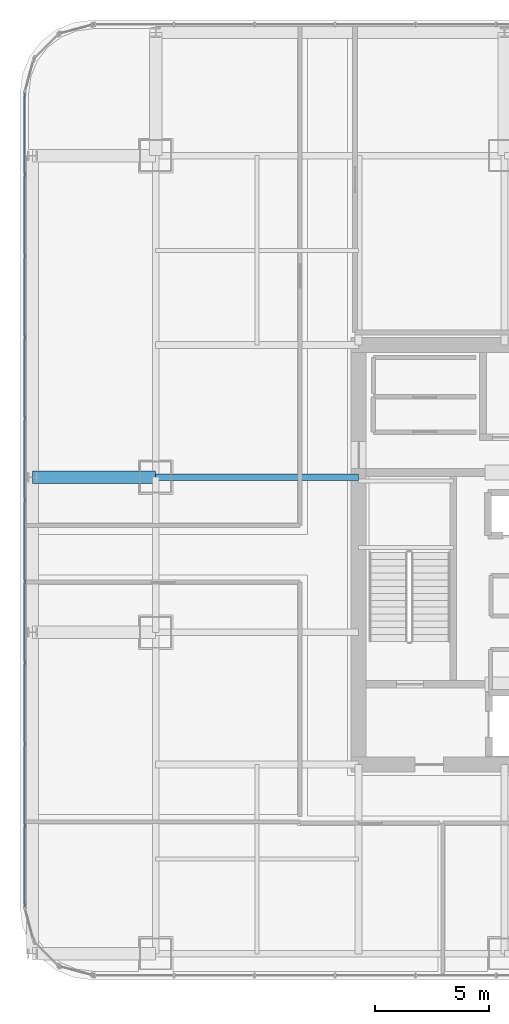
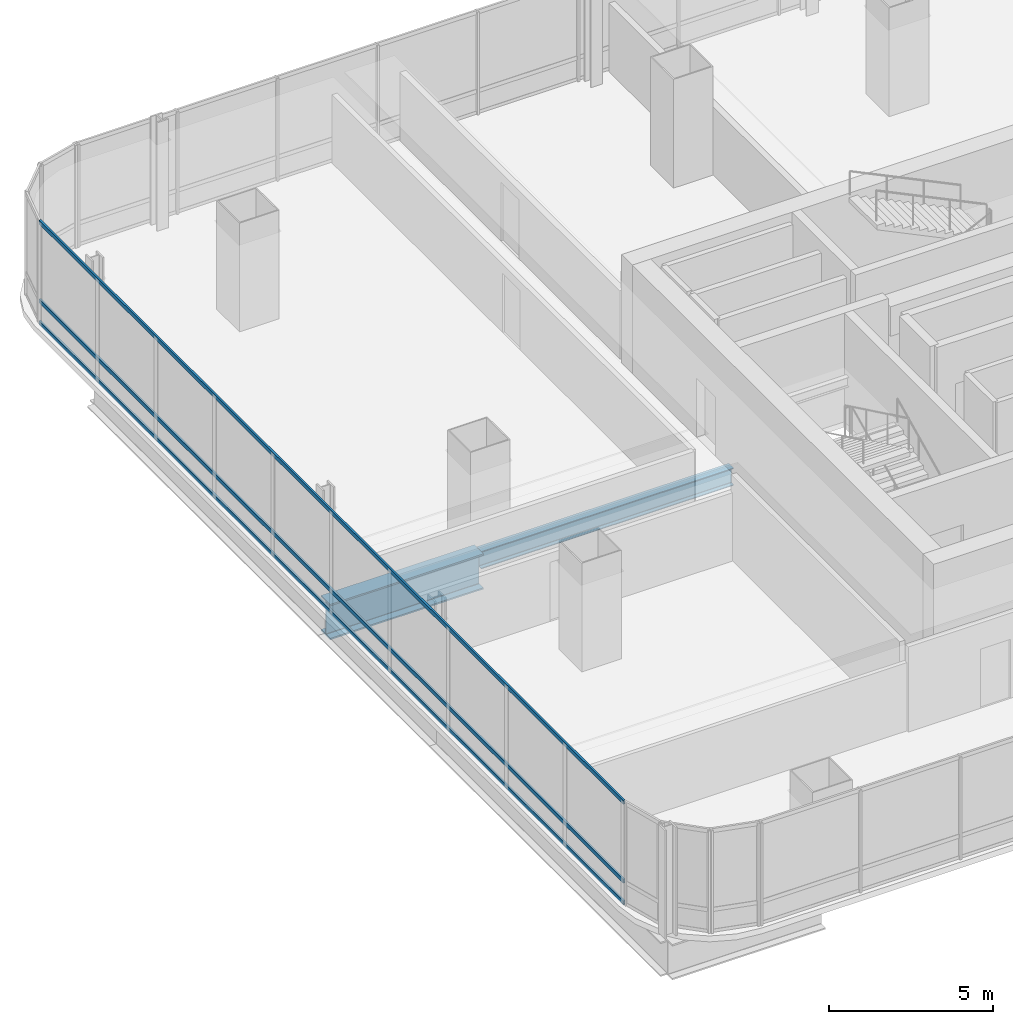
# One storey, part 11 of 37: 3 members, 2 beams, 1 element without a shape of its own.
"""IFC4 building model written with IfcOpenShell, lengths in metres."""

import ifcopenshell
import ifcopenshell.guid

model = None  # the IFC model being written
_history = None  # IfcOwnerHistory: only IFC2X3 demands one
_inside = {}  # id of a spatial element -> (the spatial element, [elements in it])
_under = {}  # id of a project, library or spatial element -> (it, [spatial elements below it])
_declared = {}  # id of a project -> (the project, [libraries it declares])
_typed = {}  # id of a type object -> (the type object, [elements of that type])
_made_of = {}  # id of a material, layer set ... -> (it, [elements and type objects made of it])


def new_model(schema):
    """Start an empty IFC model of exactly this schema.

    Asked for "IFC4X3", IfcOpenShell would pick the latest addendum, in which some entities
    have other attributes; the version numbers below select the first issue.
    IFC2X3 requires an IfcOwnerHistory on every rooted entity: one is made here for all.
    """
    global model, _history
    if schema == "IFC4X3":
        model = ifcopenshell.file(schema_version=(4, 3, 0, 0))
    else:
        model = ifcopenshell.file(schema=schema)
    _inside.clear()
    _under.clear()
    _declared.clear()
    _typed.clear()
    _made_of.clear()
    _history = None
    if model.schema == "IFC2X3":
        org = make("IfcOrganization", Name="unknown")
        user = make(
            "IfcPersonAndOrganization",
            ThePerson=make("IfcPerson", FamilyName="unknown"),
            TheOrganization=org,
        )
        app = make(
            "IfcApplication",
            ApplicationDeveloper=org,
            Version="unknown",
            ApplicationFullName="unknown",
            ApplicationIdentifier="unknown",
        )
        _history = make(
            "IfcOwnerHistory",
            OwningUser=user,
            OwningApplication=app,
            ChangeAction="ADDED",
            CreationDate=0,
        )
    return model


def make(cls, **values):
    """One entity of the class cls with the attributes given. An attribute that is None is left unset."""
    return model.create_entity(
        cls, **{name: value for name, value in values.items() if value is not None}
    )


def rooted(cls, **values):
    """An entity with a GlobalId (a new one), such as an element, a storey or a relation."""
    return make(cls, GlobalId=ifcopenshell.guid.new(), OwnerHistory=_history, **values)


def si_unit(unit_type, name, prefix=None):
    """IfcSIUnit, for example si_unit("LENGTHUNIT", "METRE", prefix="MILLI")."""
    return make("IfcSIUnit", UnitType=unit_type, Prefix=prefix, Name=name)


def assignment(units):
    """IfcUnitAssignment: the units of a project."""
    return None if units is None else make("IfcUnitAssignment", Units=units)


def point(xyz):
    """IfcCartesianPoint."""
    return None if xyz is None else make("IfcCartesianPoint", Coordinates=xyz)


def direction(xyz):
    """IfcDirection."""
    return None if xyz is None else make("IfcDirection", DirectionRatios=xyz)


def frame(location, z_axis=None, x_axis=None):
    """IfcAxis2Placement3D, a coordinate frame: its origin and axes. An axis left out is left unset."""
    return make(
        "IfcAxis2Placement3D",
        Location=point(location),
        Axis=direction(z_axis),
        RefDirection=direction(x_axis),
    )


def frame_2d(location, x_axis=None):
    """IfcAxis2Placement2D, a coordinate frame in the plane: its origin and x axis."""
    return make(
        "IfcAxis2Placement2D", Location=point(location), RefDirection=direction(x_axis)
    )


def origin():
    """The frame at (0, 0, 0) with its axes left unset."""
    return frame((0.0, 0.0, 0.0))


def origin_2d():
    """The frame at (0, 0) in the plane with its x axis left unset."""
    return frame_2d((0.0, 0.0))


def place(relative_to, where):
    """IfcLocalPlacement: puts the frame where relative to a parent placement (None: the world)."""
    return make(
        "IfcLocalPlacement", PlacementRelTo=relative_to, RelativePlacement=where
    )


def context(
    kind, dimensions, precision=None, world=None, true_north=None, identifier=None
):
    """IfcGeometricRepresentationContext, for example the 3D "Model" context."""
    return make(
        "IfcGeometricRepresentationContext",
        ContextIdentifier=identifier,
        ContextType=kind,
        CoordinateSpaceDimension=dimensions,
        Precision=precision,
        WorldCoordinateSystem=world,
        TrueNorth=true_north,
    )


def subcontext(parent, identifier, kind, view, scale=None):
    """IfcGeometricRepresentationSubContext, for example "Body" below "Model"."""
    return make(
        "IfcGeometricRepresentationSubContext",
        ContextIdentifier=identifier,
        ContextType=kind,
        ParentContext=parent,
        TargetScale=scale,
        TargetView=view,
    )


def project(units=None, contexts=None):
    """IfcProject with its units and contexts."""
    return rooted(
        "IfcProject",
        Name="project",
        RepresentationContexts=contexts,
        UnitsInContext=assignment(units),
    )


def spatial(cls, under=None, at=None, **own):
    """A site, building, storey or space (cls), placed at a placement, below another one or the project."""
    s = rooted(cls, ObjectPlacement=at, **own)
    if under is not None:
        _under.setdefault(under.id(), (under, []))[1].append(s)
    return s


def profile(cls, at=None, kind="AREA", **sizes):
    """A parametric profile (cls). Its sizes go by their IFC names, for example OverallWidth=200.0."""
    return make(cls, ProfileType=kind, Position=at, **sizes)


def hollow_rectangle(**sizes):
    """IfcRectangleHollowProfileDef."""
    return profile("IfcRectangleHollowProfileDef", **sizes)


def i_section(**sizes):
    """IfcIShapeProfileDef."""
    return profile("IfcIShapeProfileDef", **sizes)


def extrude(swept, where, along, depth):
    """IfcExtrudedAreaSolid: the profile swept, set in the frame where, extruded along a direction by depth."""
    return make(
        "IfcExtrudedAreaSolid",
        SweptArea=swept,
        Position=where,
        ExtrudedDirection=direction(along),
        Depth=depth,
    )


def shape(context_of_items, identifier, shape_type, items):
    """IfcShapeRepresentation: the items that make up one representation, for example the "Body"."""
    return make(
        "IfcShapeRepresentation",
        ContextOfItems=context_of_items,
        RepresentationIdentifier=identifier,
        RepresentationType=shape_type,
        Items=items,
    )


def material(Name=None, Category=None):
    """IfcMaterial."""
    return make("IfcMaterial", Name=Name, Category=Category)


def material_profile(
    of_material, cross_section, Name=None, Category=None, Priority=None
):
    """IfcMaterialProfile: a cross section and its material."""
    return make(
        "IfcMaterialProfile",
        Name=Name,
        Material=of_material,
        Profile=cross_section,
        Priority=Priority,
        Category=Category,
    )


def profile_set(profiles, Name=None, composite=None):
    """IfcMaterialProfileSet."""
    return make(
        "IfcMaterialProfileSet",
        Name=Name,
        MaterialProfiles=profiles,
        CompositeProfile=composite,
    )


def made_of(thing, what):
    """Note that an element or type object is made of a material, layer set ...; save() writes the relation."""
    if what is not None:
        _made_of.setdefault(what.id(), (what, []))[1].append(thing)
    return thing


def type_object(cls, material=None, **own):
    """A type object (cls), such as IfcWallType, which elements share."""
    return made_of(rooted(cls, **own), material)


def element(
    cls,
    number,
    at=None,
    inside=None,
    cuts=None,
    type_object=None,
    material=None,
    context=None,
    identifier="Body",
    shape_type=None,
    held_by="IfcProductDefinitionShape",
    body=None,
    shapes=None,
    **own,
):
    """One element of the class cls, such as IfcWall. Its Tag is "e" and its number.

    at: its placement. inside: the storey or other place that contains it. cuts: it is an
    opening in that element (IfcRelVoidsElement). A single representation is given by context,
    identifier, shape_type and body (its items); several are given by shapes. held_by: the class
    of the entity that holds the representations. save() writes the other relations.
    """
    e = rooted(cls, Tag="e%d" % number, ObjectPlacement=at, **own)
    if body is not None:
        shapes = [shape(context, identifier, shape_type, body)]
    if shapes is not None:
        e.Representation = make(held_by, Representations=shapes)
    if inside is not None:
        _inside.setdefault(inside.id(), (inside, []))[1].append(e)
    if cuts is not None:
        rooted(
            "IfcRelVoidsElement", RelatingBuildingElement=cuts, RelatedOpeningElement=e
        )
    if type_object is not None:
        _typed.setdefault(type_object.id(), (type_object, []))[1].append(e)
    return made_of(e, material)


def aggregate(whole, parts):
    """IfcRelAggregates: a whole, such as a stair, and the parts it consists of."""
    return rooted("IfcRelAggregates", RelatingObject=whole, RelatedObjects=parts)


def save(model, path):
    """Write the relations noted so far, then the file.

    IfcRelAggregates (storeys below a building ...), IfcRelContainedInSpatialStructure (elements
    in a storey), IfcRelDefinesByType, IfcRelAssociatesMaterial and IfcRelDeclares: one each for
    every whole, place, type object, material and project.
    """
    for whole, parts in _under.values():
        aggregate(whole, parts)
    for where, things in _inside.values():
        rooted(
            "IfcRelContainedInSpatialStructure",
            RelatedElements=things,
            RelatingStructure=where,
        )
    for kind, things in _typed.values():
        rooted("IfcRelDefinesByType", RelatedObjects=things, RelatingType=kind)
    for what, things in _made_of.values():
        rooted("IfcRelAssociatesMaterial", RelatedObjects=things, RelatingMaterial=what)
    for by, libraries in _declared.values():
        rooted("IfcRelDeclares", RelatingContext=by, RelatedDefinitions=libraries)
    model.write(path)


model = new_model("IFC4")

# Units and contexts
model_context = context("Model", 3, precision=1e-05, world=origin(), true_north=direction((0.0, 1.0)))
body_context = subcontext(model_context, "Body", "Model", "MODEL_VIEW")
ifc_project = project(units=[si_unit("LENGTHUNIT", "METRE"), si_unit("AREAUNIT", "SQUARE_METRE"), si_unit("VOLUMEUNIT", "CUBIC_METRE"), si_unit("PLANEANGLEUNIT", "RADIAN"), si_unit("MASSUNIT", "GRAM", prefix="KILO")], contexts=[model_context])

# Site, building, storey
site_placement = place(None, origin())
site = spatial("IfcSite", under=ifc_project, at=site_placement, CompositionType="ELEMENT")
building_placement = place(site_placement, origin())
building = spatial("IfcBuilding", under=site, at=building_placement, Name="Punatoya Terracotta Tower", CompositionType="ELEMENT")
storey_placement = place(building_placement, frame((0.0, 0.0, 164.10009765625)))
storey = spatial("IfcBuildingStorey", under=building, at=storey_placement, Name="L38", CompositionType="ELEMENT", Elevation=164.10009765625)

# Beams
ifc_material_1 = material(Name="Steel S355", Category="steel")
ifc_material_profile_1 = material_profile(ifc_material_1, i_section(OverallWidth=0.300048828125, OverallDepth=0.64990234375, WebThickness=0.01611328125, FlangeThickness=0.031005859375, FilletRadius=0.01806640625, at=origin_2d()))
ifc_profile_set_1 = profile_set([ifc_material_profile_1], Name="Steel S355")
beam_type_1 = type_object("IfcBeamType", Name="BM-PRI-650", PredefinedType="BEAM", material=ifc_profile_set_1)
beam_1_placement = place(storey_placement, frame((-19.10009765625, 3.39990234375, -0.545166015625), z_axis=(1.0, 0.0, 0.0), x_axis=(0.0, 1.0, 0.0)))
element("IfcBeam", 1, at=beam_1_placement, inside=storey, type_object=beam_type_1, Name="BM-L38-PR-WE", PredefinedType="BEAM", context=body_context, shape_type="SweptSolid", body=[
    extrude(i_section(OverallWidth=0.300048828125, OverallDepth=0.64990234375, WebThickness=0.01611328125, FlangeThickness=0.031005859375, FilletRadius=0.01806640625, at=origin_2d()), origin(), (0.0, 0.0, 1.0), 8.900146484375),
])
ifc_material_2 = material(Name="Steel S460", Category="steel")
ifc_material_profile_2 = material_profile(ifc_material_2, i_section(OverallWidth=0.56005859375, OverallDepth=1.320068359375, WebThickness=0.035888671875, FlangeThickness=0.054931640625, FilletRadius=0.01806640625, at=origin_2d()))
ifc_profile_set_2 = profile_set([ifc_material_profile_2], Name="Steel S460")
beam_type_2 = type_object("IfcBeamType", Name="BM-TG-BLK", PredefinedType="BEAM", material=ifc_profile_set_2)
beam_2_placement = place(storey_placement, frame((-24.5, 3.39990234375, -0.880126953125), z_axis=(1.0, 0.0, 0.0), x_axis=(0.0, 1.0, 0.0)))
element("IfcBeam", 2, at=beam_2_placement, inside=storey, type_object=beam_type_2, Name="BM-L38-CANT-W3", PredefinedType="BEAM", context=body_context, shape_type="SweptSolid", body=[
    extrude(i_section(OverallWidth=0.56005859375, OverallDepth=1.320068359375, WebThickness=0.035888671875, FlangeThickness=0.054931640625, FilletRadius=0.01806640625, at=origin_2d()), origin(), (0.0, 0.0, 1.0), 5.39990234375),
])

# Curtain wall, members
ifc_material_3 = material(Name="Aluminium 6063-T6 + Double Low-E Glass", Category="aluminium")
curtain_wall_type = type_object("IfcCurtainWallType", Name="CW-M2", PredefinedType="NOTDEFINED", material=ifc_material_3)
curtain_wall_placement = place(storey_placement, origin())
curtain_wall = element("IfcCurtainWall", 3, at=curtain_wall_placement, inside=storey, type_object=curtain_wall_type, Name="L38 Curtain Wall CW-L38-W13-1", PredefinedType="NOTDEFINED")
ifc_material_4 = material(Name="Aluminium 6063-T6", Category="aluminium")
ifc_material_profile_3 = material_profile(ifc_material_4, hollow_rectangle(XDim=0.068115234375, YDim=0.14990234375, WallThickness=0.00390625, at=origin_2d()))
ifc_profile_set_3 = profile_set([ifc_material_profile_3], Name="Aluminium 6063-T6")
member_type = type_object("IfcMemberType", Name="CW-TRN-TYP", PredefinedType="USERDEFINED", material=ifc_profile_set_3)
member_1_placement = place(storey_placement, frame((-24.85009765625, 20.23681640625, 0.039794921875), z_axis=(0.0, -1.0, 0.0), x_axis=(1.0, 0.0, 0.0)))
member_1 = element("IfcMember", 4, at=member_1_placement, type_object=member_type, Name="CW-L38-W13-1 Transom 1", ObjectType="TRANSOM", PredefinedType="USERDEFINED", context=body_context, shape_type="SweptSolid", body=[
    extrude(hollow_rectangle(XDim=0.068115234375, YDim=0.14990234375, WallThickness=0.00390625, at=origin_2d()), origin(), (0.0, 0.0, 1.0), 35.673828125),
])
member_2_placement = place(storey_placement, frame((-24.85009765625, 20.23681640625, 0.849853515625), z_axis=(0.0, -1.0, 0.0), x_axis=(1.0, 0.0, 0.0)))
member_2 = element("IfcMember", 5, at=member_2_placement, type_object=member_type, Name="CW-L38-W13-1 Transom 2", ObjectType="TRANSOM", PredefinedType="USERDEFINED", context=body_context, shape_type="SweptSolid", body=[
    extrude(hollow_rectangle(XDim=0.068115234375, YDim=0.14990234375, WallThickness=0.00390625, at=origin_2d()), origin(), (0.0, 0.0, 1.0), 35.673828125),
])
member_3_placement = place(storey_placement, frame((-24.85009765625, 20.23681640625, 3.789794921875), z_axis=(0.0, -1.0, 0.0), x_axis=(1.0, 0.0, 0.0)))
member_3 = element("IfcMember", 6, at=member_3_placement, type_object=member_type, Name="CW-L38-W13-1 Transom 3", ObjectType="TRANSOM", PredefinedType="USERDEFINED", context=body_context, shape_type="SweptSolid", body=[
    extrude(hollow_rectangle(XDim=0.068115234375, YDim=0.14990234375, WallThickness=0.00390625, at=origin_2d()), origin(), (0.0, 0.0, 1.0), 35.673828125),
])
aggregate(curtain_wall, [member_1, member_2, member_3])

save(model, "model.ifc")
